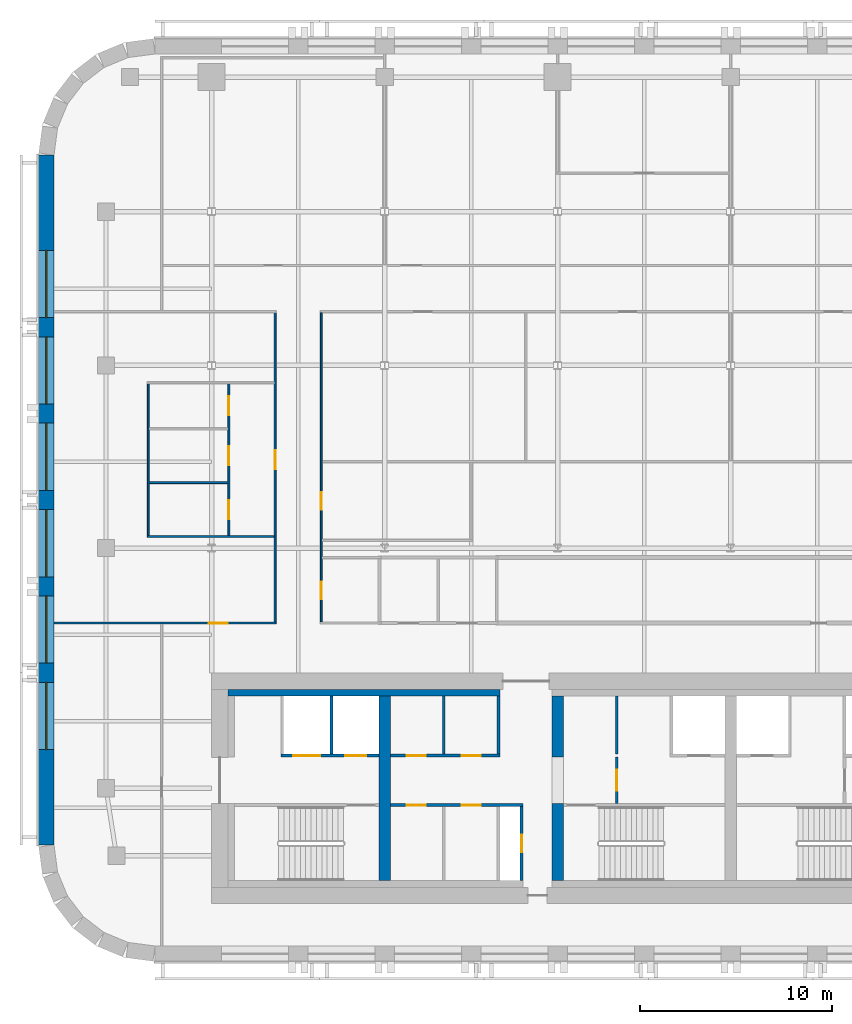
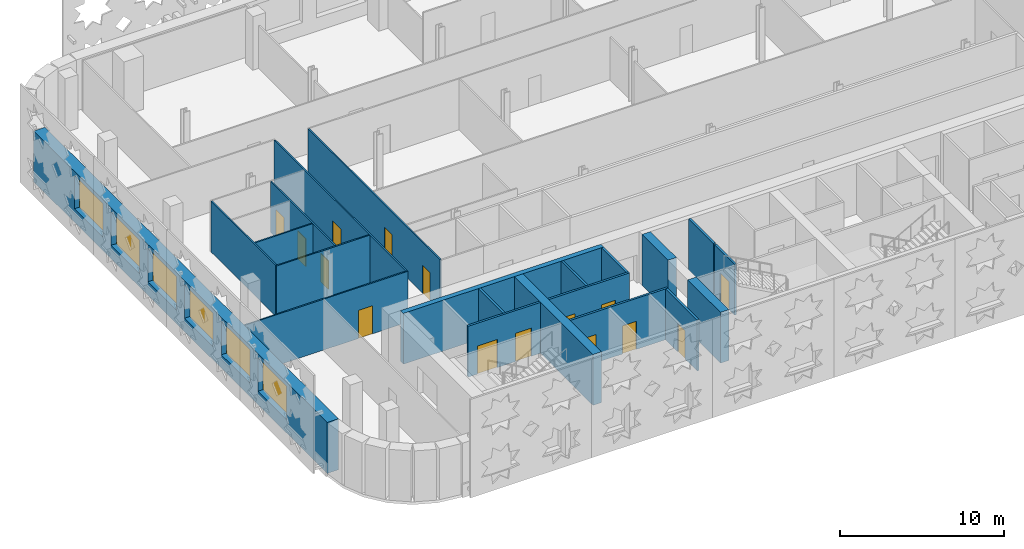
# One storey, part 3 of 12: 21 walls, 15 doors, 6 windows, 21 openings.
"""IFC4 building model written with IfcOpenShell, lengths in metres."""

from ifc_helpers import new_model, si_unit, direction, frame, frame_2d, origin, place, context, subcontext, project, spatial, rectangle, extrude, material, layer, layer_set, type_object, element, fill, save


model = new_model("IFC4")

# Units and contexts
model_context = context("Model", 3, precision=1e-05, world=origin(), true_north=direction((0.0, 1.0)))
body_context = subcontext(model_context, "Body", "Model", "MODEL_VIEW")
ifc_project = project(units=[si_unit("LENGTHUNIT", "METRE"), si_unit("AREAUNIT", "SQUARE_METRE"), si_unit("VOLUMEUNIT", "CUBIC_METRE"), si_unit("PLANEANGLEUNIT", "RADIAN"), si_unit("MASSUNIT", "GRAM", prefix="KILO")], contexts=[model_context])

# Site, building, storey
site_placement = place(None, origin())
site = spatial("IfcSite", under=ifc_project, at=site_placement, CompositionType="ELEMENT")
building_placement = place(site_placement, origin())
building = spatial("IfcBuilding", under=site, at=building_placement, Name="Zellij Exchange Tower", CompositionType="ELEMENT")
storey_placement = place(building_placement, frame((0.0, 0.0, 180.5)))
storey = spatial("IfcBuildingStorey", under=building, at=storey_placement, Name="L41", CompositionType="ELEMENT", Elevation=180.5)

# Walls
ifc_material_1 = material(Name="Concrete C60/75", Category="concrete")
ifc_layer_1 = layer(ifc_material_1, 0.60009765625)
ifc_layer_set_1 = layer_set([ifc_layer_1], Name="Concrete C60/75")
wall_type_1 = type_object("IfcWallType", Name="CORE-CW 600 C60/75", PredefinedType="SHEAR", material=ifc_layer_set_1)
wall_1_placement = place(storey_placement, frame((-18.0, -12.800048828125, 0.0), z_axis=(0.0, 0.0, 1.0), x_axis=(0.0, 1.0, 0.0)))
element("IfcWall", 1, at=wall_1_placement, inside=storey, type_object=wall_type_1, Name="Core cross wall x -18 L41", PredefinedType="SHEAR", context=body_context, shape_type="SweptSolid", body=[
    extrude(rectangle(XDim=9.60009765625, YDim=0.60009765625, at=frame_2d((4.800048828125, 0.0))), origin(), (0.0, 0.0, 1.0), 3.800048828125),
])
wall_2_placement = place(storey_placement, frame((-9.0, -12.800048828125, 0.0), z_axis=(0.0, 0.0, 1.0), x_axis=(0.0, 1.0, 0.0)))
element("IfcWall", 2, at=wall_2_placement, inside=storey, type_object=wall_type_1, Name="Core cross wall pier x -9 a L41", PredefinedType="SHEAR", context=body_context, shape_type="SweptSolid", body=[
    extrude(rectangle(XDim=4.0, YDim=0.60009765625, at=frame_2d((2.0, 0.0))), origin(), (0.0, 0.0, 1.0), 3.800048828125),
])
wall_3_placement = place(storey_placement, frame((-9.0, -6.375, 0.0), z_axis=(0.0, 0.0, 1.0), x_axis=(0.0, 1.0, 0.0)))
element("IfcWall", 3, at=wall_3_placement, inside=storey, type_object=wall_type_1, Name="Core cross wall pier x -9 b L41", PredefinedType="SHEAR", context=body_context, shape_type="SweptSolid", body=[
    extrude(rectangle(XDim=3.175048828125, YDim=0.60009765625, at=frame_2d((1.58740234375, 0.0))), origin(), (0.0, 0.0, 1.0), 3.800048828125),
])
ifc_material_2 = material(Name="Concrete C30/37", Category="concrete")
ifc_layer_2 = layer(ifc_material_2, 0.35009765625)
ifc_layer_set_2 = layer_set([ifc_layer_2], Name="Concrete C30/37")
wall_type_2 = type_object("IfcWallType", Name="CORE-LW 350 C30/37", PredefinedType="SHEAR", material=ifc_layer_set_2)
wall_4_placement = place(storey_placement, frame((-26.14990234375, -3.02490234375, 0.0), z_axis=(0.0, 0.0, 1.0), x_axis=(1.0, 0.0, 0.0)))
element("IfcWall", 4, at=wall_4_placement, inside=storey, type_object=wall_type_2, Name="Core wall lining front.0 L41", PredefinedType="SHEAR", context=body_context, shape_type="SweptSolid", body=[
    extrude(rectangle(XDim=14.14990234375, YDim=0.35009765625, at=frame_2d((7.074951171875, 0.0))), origin(), (0.0, 0.0, 1.0), 3.800048828125),
])

# Wall, opening, door
ifc_material_3 = material(Name="Gypsum shaft wall system")
ifc_layer_3 = layer(ifc_material_3, 0.14990234375)
ifc_layer_set_3 = layer_set([ifc_layer_3], Name="Gypsum shaft wall system")
wall_type_3 = type_object("IfcWallType", Name="CORE-PW 150 Firefighting lobby wall", PredefinedType="PARTITIONING", material=ifc_layer_set_3)
wall_5_placement = place(storey_placement, frame((-5.925048828125, -8.800048828125, 0.0), z_axis=(0.0, 0.0, 1.0), x_axis=(0.0, 1.0, 0.0)))
wall_5 = element("IfcWall", 5, at=wall_5_placement, inside=storey, type_object=wall_type_3, Name="Firefighting lobby wall L41", PredefinedType="PARTITIONING", context=body_context, shape_type="SweptSolid", body=[
    extrude(rectangle(XDim=2.425048828125, YDim=0.14990234375, at=frame_2d((1.21240234375, 0.0))), origin(), (0.0, 0.0, 1.0), 3.800048828125),
])
opening_1_placement = place(wall_5_placement, frame((0.662109375, 0.0, 0.0)))
opening_1 = element("IfcOpeningElement", 6, at=opening_1_placement, cuts=wall_5, Name="Opening CA-22.13", PredefinedType="OPENING", context=body_context, shape_type="SweptSolid", body=[
    extrude(rectangle(XDim=1.10009765625, YDim=2.10009765625, at=frame_2d((0.550048828125, 1.050048828125))), frame((0.0, 0.0869140625, 0.0), z_axis=(0.0, -1.0, 0.0), x_axis=(1.0, 0.0, 0.0)), (0.0, 0.0, 1.0), 0.173828125),
])
ifc_material_4 = material(Name="Hollow metal fire door")
door_type_1 = type_object("IfcDoorType", Name="CORE-D F Firefighting lobby door 1100x2100 1 HR", OperationType="NOTDEFINED", PredefinedType="DOOR", material=ifc_material_4)
door_1_placement = place(opening_1_placement, origin())
door_1 = element("IfcDoor", 7, at=door_1_placement, inside=storey, type_object=door_type_1, Name="Firefighting lobby door CA-22.13", OperationType="SINGLE_SWING_LEFT", OverallHeight=2.10009765625, OverallWidth=1.10009765625, PredefinedType="DOOR", context=body_context, shape_type="SweptSolid", body=[
    extrude(rectangle(XDim=1.10009765625, YDim=2.10009765625, at=frame_2d((0.550048828125, 1.050048828125))), frame((0.0, 0.02490234375, 0.0), z_axis=(0.0, -1.0, 0.0), x_axis=(1.0, 0.0, 0.0)), (0.0, 0.0, 1.0), 0.050048828125),
])
fill(opening_1, door_1)

# Walls
ifc_material_5 = material(Name="Gypsum board partition")
ifc_layer_4 = layer(ifc_material_5, 0.14990234375)
ifc_layer_set_4 = layer_set([ifc_layer_4], Name="Gypsum board partition")
wall_type_4 = type_object("IfcWallType", Name="CORE-PW 150 Lift lobby wall", PredefinedType="PARTITIONING", material=ifc_layer_set_4)
for number, where, z_axis, x_axis, name in (
    (8, (-12.074951171875, -6.22509765625, 0.0), (0.0, 0.0, 1.0), (0.0, 1.0, 0.0), "Lift lobby wall L41"),
    (9, (-14.925048828125, -6.22509765625, 0.0), (0.0, 0.0, 1.0), (0.0, 1.0, 0.0), "Lift lobby wall L41"),
    (10, (-5.925048828125, -6.22509765625, 0.0), (0.0, 0.0, 1.0), (0.0, 1.0, 0.0), "Lift lobby wall L41"),
):
    element("IfcWall", number, at=place(storey_placement, frame(where, z_axis=z_axis, x_axis=x_axis)), inside=storey, type_object=wall_type_4, Name=name, PredefinedType="PARTITIONING", context=body_context, shape_type="SweptSolid", body=[
        extrude(rectangle(XDim=3.025146484375, YDim=0.14990234375, at=frame_2d((1.5126953125, 0.0))), origin(), (0.0, 0.0, 1.0), 3.800048828125),
    ])

# Wall, opening, door
wall_6_placement = place(storey_placement, frame((-10.875, -12.800048828125, 0.0), z_axis=(0.0, 0.0, 1.0), x_axis=(0.0, 1.0, 0.0)))
wall_6 = element("IfcWall", 11, at=wall_6_placement, inside=storey, type_object=wall_type_4, Name="Lift lobby wall L41", PredefinedType="PARTITIONING", context=body_context, shape_type="SweptSolid", body=[
    extrude(rectangle(XDim=3.85009765625, YDim=0.14990234375, at=frame_2d((1.925048828125, 0.0))), origin(), (0.0, 0.0, 1.0), 3.800048828125),
])
opening_2_placement = place(wall_6_placement, frame((1.47509765625, 0.0, 0.0)))
opening_2 = element("IfcOpeningElement", 12, at=opening_2_placement, cuts=wall_6, Name="Opening CA-22.09", PredefinedType="OPENING", context=body_context, shape_type="SweptSolid", body=[
    extrude(rectangle(XDim=0.89990234375, YDim=2.10009765625, at=frame_2d((0.449951171875, 1.050048828125))), frame((0.0, 0.0869140625, 0.0), z_axis=(0.0, -1.0, 0.0), x_axis=(1.0, 0.0, 0.0)), (0.0, 0.0, 1.0), 0.173828125),
])
door_type_2 = type_object("IfcDoorType", Name="CORE-D RD Riser door 900x2100 1.5 HR", OperationType="NOTDEFINED", PredefinedType="DOOR", material=ifc_material_4)
door_2_placement = place(opening_2_placement, origin())
door_2 = element("IfcDoor", 13, at=door_2_placement, inside=storey, type_object=door_type_2, Name="Riser door CA-22.09", OperationType="SINGLE_SWING_RIGHT", OverallHeight=2.10009765625, OverallWidth=0.89990234375, PredefinedType="DOOR", context=body_context, shape_type="SweptSolid", body=[
    extrude(rectangle(XDim=0.89990234375, YDim=2.10009765625, at=frame_2d((0.449951171875, 1.050048828125))), frame((0.0, 0.02490234375, 0.0), z_axis=(0.0, -1.0, 0.0), x_axis=(1.0, 0.0, 0.0)), (0.0, 0.0, 1.0), 0.050048828125),
])
fill(opening_2, door_2)

# Wall, openings, doors
wall_7_placement = place(storey_placement, frame((-17.699951171875, -6.300048828125, 0.0), z_axis=(0.0, 0.0, 1.0), x_axis=(1.0, 0.0, 0.0)))
wall_7 = element("IfcWall", 14, at=wall_7_placement, inside=storey, type_object=wall_type_4, Name="Lift lobby wall L41", PredefinedType="PARTITIONING", context=body_context, shape_type="SweptSolid", body=[
    extrude(rectangle(XDim=5.699951171875, YDim=0.14990234375, at=frame_2d((2.85009765625, 0.0))), origin(), (0.0, 0.0, 1.0), 3.800048828125),
])
opening_3_placement = place(wall_7_placement, frame((0.85009765625, 0.0, 0.0)))
opening_3 = element("IfcOpeningElement", 15, at=opening_3_placement, cuts=wall_7, Name="Opening CA-22.06", PredefinedType="OPENING", context=body_context, shape_type="SweptSolid", body=[
    extrude(rectangle(XDim=1.0, YDim=2.10009765625, at=frame_2d((0.5, 1.050048828125))), frame((0.0, 0.0869140625, 0.0), z_axis=(0.0, -1.0, 0.0), x_axis=(1.0, 0.0, 0.0)), (0.0, 0.0, 1.0), 0.173828125),
])
opening_4_placement = place(wall_7_placement, frame((3.699951171875, 0.0, 0.0)))
opening_4 = element("IfcOpeningElement", 16, at=opening_4_placement, cuts=wall_7, Name="Opening CA-22.08", PredefinedType="OPENING", context=body_context, shape_type="SweptSolid", body=[
    extrude(rectangle(XDim=1.0, YDim=2.10009765625, at=frame_2d((0.5, 1.050048828125))), frame((0.0, 0.0869140625, 0.0), z_axis=(0.0, -1.0, 0.0), x_axis=(1.0, 0.0, 0.0)), (0.0, 0.0, 1.0), 0.173828125),
])
door_type_3 = type_object("IfcDoorType", Name="CORE-D CD Core room door 1000x2100 1 HR", OperationType="NOTDEFINED", PredefinedType="DOOR", material=ifc_material_4)
door_3_placement = place(opening_3_placement, origin())
door_3 = element("IfcDoor", 17, at=door_3_placement, inside=storey, type_object=door_type_3, Name="Core room door CA-22.06", OperationType="SINGLE_SWING_LEFT", OverallHeight=2.10009765625, OverallWidth=1.0, PredefinedType="DOOR", context=body_context, shape_type="SweptSolid", body=[
    extrude(rectangle(XDim=1.0, YDim=2.10009765625, at=frame_2d((0.5, 1.050048828125))), frame((0.0, 0.02490234375, 0.0), z_axis=(0.0, -1.0, 0.0), x_axis=(1.0, 0.0, 0.0)), (0.0, 0.0, 1.0), 0.050048828125),
])
fill(opening_3, door_3)
door_4_placement = place(opening_4_placement, origin())
door_4 = element("IfcDoor", 18, at=door_4_placement, inside=storey, type_object=door_type_3, Name="Core room door CA-22.08", OperationType="SINGLE_SWING_RIGHT", OverallHeight=2.10009765625, OverallWidth=1.0, PredefinedType="DOOR", context=body_context, shape_type="SweptSolid", body=[
    extrude(rectangle(XDim=1.0, YDim=2.10009765625, at=frame_2d((0.5, 1.050048828125))), frame((0.0, 0.02490234375, 0.0), z_axis=(0.0, -1.0, 0.0), x_axis=(1.0, 0.0, 0.0)), (0.0, 0.0, 1.0), 0.050048828125),
])
fill(opening_4, door_4)

wall_8_placement = place(storey_placement, frame((-17.699951171875, -8.875, 0.0), z_axis=(0.0, 0.0, 1.0), x_axis=(1.0, 0.0, 0.0)))
wall_8 = element("IfcWall", 19, at=wall_8_placement, inside=storey, type_object=wall_type_4, Name="Lift lobby wall L41", PredefinedType="PARTITIONING", context=body_context, shape_type="SweptSolid", body=[
    extrude(rectangle(XDim=6.89990234375, YDim=0.14990234375, at=frame_2d((3.449951171875, 0.0))), origin(), (0.0, 0.0, 1.0), 3.800048828125),
])
opening_5_placement = place(wall_8_placement, frame((0.85009765625, 0.0, 0.0)))
opening_5 = element("IfcOpeningElement", 20, at=opening_5_placement, cuts=wall_8, Name="Opening CA-22.05", PredefinedType="OPENING", context=body_context, shape_type="SweptSolid", body=[
    extrude(rectangle(XDim=1.0, YDim=2.10009765625, at=frame_2d((0.5, 1.050048828125))), frame((0.0, 0.0869140625, 0.0), z_axis=(0.0, -1.0, 0.0), x_axis=(1.0, 0.0, 0.0)), (0.0, 0.0, 1.0), 0.173828125),
])
opening_6_placement = place(wall_8_placement, frame((3.699951171875, 0.0, 0.0)))
opening_6 = element("IfcOpeningElement", 21, at=opening_6_placement, cuts=wall_8, Name="Opening CA-22.07", PredefinedType="OPENING", context=body_context, shape_type="SweptSolid", body=[
    extrude(rectangle(XDim=1.0, YDim=2.10009765625, at=frame_2d((0.5, 1.050048828125))), frame((0.0, 0.0869140625, 0.0), z_axis=(0.0, -1.0, 0.0), x_axis=(1.0, 0.0, 0.0)), (0.0, 0.0, 1.0), 0.173828125),
])
door_5_placement = place(opening_5_placement, origin())
door_5 = element("IfcDoor", 22, at=door_5_placement, inside=storey, type_object=door_type_3, Name="Core room door CA-22.05", OperationType="SINGLE_SWING_RIGHT", OverallHeight=2.10009765625, OverallWidth=1.0, PredefinedType="DOOR", context=body_context, shape_type="SweptSolid", body=[
    extrude(rectangle(XDim=1.0, YDim=2.10009765625, at=frame_2d((0.5, 1.050048828125))), frame((0.0, 0.02490234375, 0.0), z_axis=(0.0, -1.0, 0.0), x_axis=(1.0, 0.0, 0.0)), (0.0, 0.0, 1.0), 0.050048828125),
])
fill(opening_5, door_5)
door_6_placement = place(opening_6_placement, origin())
door_6 = element("IfcDoor", 23, at=door_6_placement, inside=storey, type_object=door_type_3, Name="Core room door CA-22.07", OperationType="SINGLE_SWING_LEFT", OverallHeight=2.10009765625, OverallWidth=1.0, PredefinedType="DOOR", context=body_context, shape_type="SweptSolid", body=[
    extrude(rectangle(XDim=1.0, YDim=2.10009765625, at=frame_2d((0.5, 1.050048828125))), frame((0.0, 0.02490234375, 0.0), z_axis=(0.0, -1.0, 0.0), x_axis=(1.0, 0.0, 0.0)), (0.0, 0.0, 1.0), 0.050048828125),
])
fill(opening_6, door_6)

# Wall
ifc_layer_5 = layer(ifc_material_3, 0.14990234375)
ifc_layer_set_5 = layer_set([ifc_layer_5], Name="Gypsum shaft wall system")
wall_type_5 = type_object("IfcWallType", Name="CORE-PW 150 Lift shaft wall", PredefinedType="PARTITIONING", material=ifc_layer_set_5)
wall_9_placement = place(storey_placement, frame((-20.77490234375, -6.22509765625, 0.0), z_axis=(0.0, 0.0, 1.0), x_axis=(0.0, 1.0, 0.0)))
element("IfcWall", 24, at=wall_9_placement, inside=storey, type_object=wall_type_5, Name="Lift shaft wall L41", PredefinedType="PARTITIONING", context=body_context, shape_type="SweptSolid", body=[
    extrude(rectangle(XDim=3.025146484375, YDim=0.14990234375, at=frame_2d((1.5126953125, 0.0))), origin(), (0.0, 0.0, 1.0), 3.800048828125),
])

# Wall, openings, doors
wall_10_placement = place(storey_placement, frame((-23.39990234375, -6.300048828125, 0.0), z_axis=(0.0, 0.0, 1.0), x_axis=(1.0, 0.0, 0.0)))
wall_10 = element("IfcWall", 25, at=wall_10_placement, inside=storey, type_object=wall_type_5, Name="Lift shaft wall L41", PredefinedType="PARTITIONING", context=body_context, shape_type="SweptSolid", body=[
    extrude(rectangle(XDim=5.099853515625, YDim=0.14990234375, at=frame_2d((2.5498046875, 0.0))), origin(), (0.0, 0.0, 1.0), 3.800048828125),
])
opening_7_placement = place(wall_10_placement, frame((0.64990234375, 0.0, 0.0)))
opening_7 = element("IfcOpeningElement", 26, at=opening_7_placement, cuts=wall_10, Name="Opening CA-22.02", PredefinedType="OPENING", context=body_context, shape_type="SweptSolid", body=[
    extrude(rectangle(XDim=1.39990234375, YDim=2.10009765625, at=frame_2d((0.699951171875, 1.050048828125))), frame((0.0, 0.0869140625, 0.0), z_axis=(0.0, -1.0, 0.0), x_axis=(1.0, 0.0, 0.0)), (0.0, 0.0, 1.0), 0.173828125),
])
opening_8_placement = place(wall_10_placement, frame((3.35009765625, 0.0, 0.0)))
opening_8 = element("IfcOpeningElement", 27, at=opening_8_placement, cuts=wall_10, Name="Opening CA-22.03", PredefinedType="OPENING", context=body_context, shape_type="SweptSolid", body=[
    extrude(rectangle(XDim=1.10009765625, YDim=2.10009765625, at=frame_2d((0.550048828125, 1.050048828125))), frame((0.0, 0.0869140625, 0.0), z_axis=(0.0, -1.0, 0.0), x_axis=(1.0, 0.0, 0.0)), (0.0, 0.0, 1.0), 0.173828125),
])
door_type_4 = type_object("IfcDoorType", Name="CORE-D LD Lift landing door 1100x2100 1.5 HR", OperationType="NOTDEFINED", PredefinedType="DOOR", material=ifc_material_4)
door_7_placement = place(opening_8_placement, origin())
door_7 = element("IfcDoor", 28, at=door_7_placement, inside=storey, type_object=door_type_4, Name="Lift landing door CA-22.03", OperationType="SLIDING_TO_LEFT", OverallHeight=2.10009765625, OverallWidth=1.10009765625, PredefinedType="DOOR", context=body_context, shape_type="SweptSolid", body=[
    extrude(rectangle(XDim=1.10009765625, YDim=2.10009765625, at=frame_2d((0.550048828125, 1.050048828125))), frame((0.0, 0.02490234375, 0.0), z_axis=(0.0, -1.0, 0.0), x_axis=(1.0, 0.0, 0.0)), (0.0, 0.0, 1.0), 0.050048828125),
])
fill(opening_8, door_7)
door_type_5 = type_object("IfcDoorType", Name="CORE-D LD2 Service lift landing door 1400x2100 1.5 HR", OperationType="NOTDEFINED", PredefinedType="DOOR", material=ifc_material_4)
door_8_placement = place(opening_7_placement, origin())
door_8 = element("IfcDoor", 29, at=door_8_placement, inside=storey, type_object=door_type_5, Name="Service lift landing door CA-22.02", OperationType="SLIDING_TO_RIGHT", OverallHeight=2.10009765625, OverallWidth=1.39990234375, PredefinedType="DOOR", context=body_context, shape_type="SweptSolid", body=[
    extrude(rectangle(XDim=1.39990234375, YDim=2.10009765625, at=frame_2d((0.699951171875, 1.050048828125))), frame((0.0, 0.02490234375, 0.0), z_axis=(0.0, -1.0, 0.0), x_axis=(1.0, 0.0, 0.0)), (0.0, 0.0, 1.0), 0.050048828125),
])
fill(opening_7, door_8)

# Wall, openings, windows
ifc_material_6 = material(Name="Precast concrete C40/50", Category="concrete")
ifc_layer_6 = layer(ifc_material_6, 0.800048828125)
ifc_layer_set_6 = layer_set([ifc_layer_6], Name="Precast concrete C40/50")
wall_type_6 = type_object("IfcWallType", Name="ENV-EW1 Precast stone-piered wall 800", PredefinedType="SOLIDWALL", material=ifc_layer_set_6)
wall_11_placement = place(storey_placement, frame((-35.60009765625, 24.947509765625, 0.0), z_axis=(0.0, 0.0, 1.0), x_axis=(0.0, -1.0, 0.0)))
wall_11 = element("IfcWall", 30, at=wall_11_placement, inside=storey, type_object=wall_type_6, Name="fac.L41.21", PredefinedType="SOLIDWALL", context=body_context, shape_type="SweptSolid", body=[
    extrude(rectangle(XDim=35.89501953125, YDim=0.800048828125, at=frame_2d((17.947509765625, 0.0))), origin(), (0.0, 0.0, 1.0), 3.800048828125),
])
opening_9_placement = place(wall_11_placement, frame((4.9638671875, 0.0, 1.0)))
opening_9 = element("IfcOpeningElement", 31, at=opening_9_placement, cuts=wall_11, Name="Opening FZ3.31", PredefinedType="OPENING", context=body_context, shape_type="SweptSolid", body=[
    extrude(rectangle(XDim=3.5, YDim=2.5, at=frame_2d((1.75, 1.25))), frame((0.0, 0.412109375, 0.0), z_axis=(0.0, -1.0, 0.0), x_axis=(1.0, 0.0, 0.0)), (0.0, 0.0, 1.0), 0.823974609375),
])
opening_10_placement = place(wall_11_placement, frame((9.45751953125, 0.0, 1.0)))
opening_10 = element("IfcOpeningElement", 32, at=opening_10_placement, cuts=wall_11, Name="Opening FZ3.32", PredefinedType="OPENING", context=body_context, shape_type="SweptSolid", body=[
    extrude(rectangle(XDim=3.5, YDim=2.5, at=frame_2d((1.75, 1.25))), frame((0.0, 0.412109375, 0.0), z_axis=(0.0, -1.0, 0.0), x_axis=(1.0, 0.0, 0.0)), (0.0, 0.0, 1.0), 0.823974609375),
])
opening_11_placement = place(wall_11_placement, frame((13.950927734375, 0.0, 1.0)))
opening_11 = element("IfcOpeningElement", 33, at=opening_11_placement, cuts=wall_11, Name="Opening FZ3.33", PredefinedType="OPENING", context=body_context, shape_type="SweptSolid", body=[
    extrude(rectangle(XDim=3.5, YDim=2.5, at=frame_2d((1.75, 1.25))), frame((0.0, 0.412109375, 0.0), z_axis=(0.0, -1.0, 0.0), x_axis=(1.0, 0.0, 0.0)), (0.0, 0.0, 1.0), 0.823974609375),
])
opening_12_placement = place(wall_11_placement, frame((18.4443359375, 0.0, 1.0)))
opening_12 = element("IfcOpeningElement", 34, at=opening_12_placement, cuts=wall_11, Name="Opening FZ3.34", PredefinedType="OPENING", context=body_context, shape_type="SweptSolid", body=[
    extrude(rectangle(XDim=3.5, YDim=2.5, at=frame_2d((1.75, 1.25))), frame((0.0, 0.412109375, 0.0), z_axis=(0.0, -1.0, 0.0), x_axis=(1.0, 0.0, 0.0)), (0.0, 0.0, 1.0), 0.823974609375),
])
opening_13_placement = place(wall_11_placement, frame((22.937744140625, 0.0, 1.0)))
opening_13 = element("IfcOpeningElement", 35, at=opening_13_placement, cuts=wall_11, Name="Opening FZ3.35", PredefinedType="OPENING", context=body_context, shape_type="SweptSolid", body=[
    extrude(rectangle(XDim=3.5, YDim=2.5, at=frame_2d((1.75, 1.25))), frame((0.0, 0.412109375, 0.0), z_axis=(0.0, -1.0, 0.0), x_axis=(1.0, 0.0, 0.0)), (0.0, 0.0, 1.0), 0.823974609375),
])
opening_14_placement = place(wall_11_placement, frame((27.43115234375, 0.0, 1.0)))
opening_14 = element("IfcOpeningElement", 36, at=opening_14_placement, cuts=wall_11, Name="Opening FZ3.36", PredefinedType="OPENING", context=body_context, shape_type="SweptSolid", body=[
    extrude(rectangle(XDim=3.5, YDim=2.5, at=frame_2d((1.75, 1.25))), frame((0.0, 0.412109375, 0.0), z_axis=(0.0, -1.0, 0.0), x_axis=(1.0, 0.0, 0.0)), (0.0, 0.0, 1.0), 0.823974609375),
])
ifc_material_7 = material(Name="Aluminium frame with insulating glass", Category="aluminium")
window_type = type_object("IfcWindowType", Name="ENV-W1 Window 3500x2500", PartitioningType="SINGLE_PANEL", PredefinedType="WINDOW", material=ifc_material_7)
window_1_placement = place(opening_9_placement, origin())
window_1 = element("IfcWindow", 37, at=window_1_placement, inside=storey, type_object=window_type, Name="Window FZ3.31", OverallHeight=2.5, OverallWidth=3.5, PartitioningType="SINGLE_PANEL", PredefinedType="WINDOW", context=body_context, shape_type="SweptSolid", body=[
    extrude(rectangle(XDim=3.5, YDim=2.5, at=frame_2d((1.75, 1.25))), frame((0.0, 0.030029296875, 0.0), z_axis=(0.0, -1.0, 0.0), x_axis=(1.0, 0.0, 0.0)), (0.0, 0.0, 1.0), 0.06005859375),
])
fill(opening_9, window_1)
window_2_placement = place(opening_10_placement, origin())
window_2 = element("IfcWindow", 38, at=window_2_placement, inside=storey, type_object=window_type, Name="Window FZ3.32", OverallHeight=2.5, OverallWidth=3.5, PartitioningType="SINGLE_PANEL", PredefinedType="WINDOW", context=body_context, shape_type="SweptSolid", body=[
    extrude(rectangle(XDim=3.5, YDim=2.5, at=frame_2d((1.75, 1.25))), frame((0.0, 0.030029296875, 0.0), z_axis=(0.0, -1.0, 0.0), x_axis=(1.0, 0.0, 0.0)), (0.0, 0.0, 1.0), 0.06005859375),
])
fill(opening_10, window_2)
window_3_placement = place(opening_11_placement, origin())
window_3 = element("IfcWindow", 39, at=window_3_placement, inside=storey, type_object=window_type, Name="Window FZ3.33", OverallHeight=2.5, OverallWidth=3.5, PartitioningType="SINGLE_PANEL", PredefinedType="WINDOW", context=body_context, shape_type="SweptSolid", body=[
    extrude(rectangle(XDim=3.5, YDim=2.5, at=frame_2d((1.75, 1.25))), frame((0.0, 0.030029296875, 0.0), z_axis=(0.0, -1.0, 0.0), x_axis=(1.0, 0.0, 0.0)), (0.0, 0.0, 1.0), 0.06005859375),
])
fill(opening_11, window_3)
window_4_placement = place(opening_12_placement, origin())
window_4 = element("IfcWindow", 40, at=window_4_placement, inside=storey, type_object=window_type, Name="Window FZ3.34", OverallHeight=2.5, OverallWidth=3.5, PartitioningType="SINGLE_PANEL", PredefinedType="WINDOW", context=body_context, shape_type="SweptSolid", body=[
    extrude(rectangle(XDim=3.5, YDim=2.5, at=frame_2d((1.75, 1.25))), frame((0.0, 0.030029296875, 0.0), z_axis=(0.0, -1.0, 0.0), x_axis=(1.0, 0.0, 0.0)), (0.0, 0.0, 1.0), 0.06005859375),
])
fill(opening_12, window_4)
window_5_placement = place(opening_13_placement, origin())
window_5 = element("IfcWindow", 41, at=window_5_placement, inside=storey, type_object=window_type, Name="Window FZ3.35", OverallHeight=2.5, OverallWidth=3.5, PartitioningType="SINGLE_PANEL", PredefinedType="WINDOW", context=body_context, shape_type="SweptSolid", body=[
    extrude(rectangle(XDim=3.5, YDim=2.5, at=frame_2d((1.75, 1.25))), frame((0.0, 0.030029296875, 0.0), z_axis=(0.0, -1.0, 0.0), x_axis=(1.0, 0.0, 0.0)), (0.0, 0.0, 1.0), 0.06005859375),
])
fill(opening_13, window_5)
window_6_placement = place(opening_14_placement, origin())
window_6 = element("IfcWindow", 42, at=window_6_placement, inside=storey, type_object=window_type, Name="Window FZ3.36", OverallHeight=2.5, OverallWidth=3.5, PartitioningType="SINGLE_PANEL", PredefinedType="WINDOW", context=body_context, shape_type="SweptSolid", body=[
    extrude(rectangle(XDim=3.5, YDim=2.5, at=frame_2d((1.75, 1.25))), frame((0.0, 0.030029296875, 0.0), z_axis=(0.0, -1.0, 0.0), x_axis=(1.0, 0.0, 0.0)), (0.0, 0.0, 1.0), 0.06005859375),
])
fill(opening_14, window_6)

# Wall, opening, door
ifc_material_8 = material(Name="Gypsum board partition on steel studs", Category="steel")
ifc_layer_7 = layer(ifc_material_8, 0.10009765625)
ifc_layer_set_7 = layer_set([ifc_layer_7], Name="Gypsum board partition on steel studs")
wall_type_7 = type_object("IfcWallType", Name="FIT-PARTITION-100", PredefinedType="PARTITIONING", material=ifc_layer_set_7)
wall_12_placement = place(storey_placement, frame((-35.199951171875, 0.60009765625, 0.0), z_axis=(0.0, 0.0, 1.0), x_axis=(1.0, 0.0, 0.0)))
wall_12 = element("IfcWall", 43, at=wall_12_placement, inside=storey, type_object=wall_type_7, Name="FIT-PARTITION-100 003", PredefinedType="PARTITIONING", context=body_context, shape_type="SweptSolid", body=[
    extrude(rectangle(XDim=11.550048828125, YDim=0.10009765625, at=frame_2d((5.77490234375, 0.0))), origin(), (0.0, 0.0, 1.0), 3.800048828125),
])
opening_15_placement = place(wall_12_placement, frame((8.050048828125, 0.0, 0.0)))
opening_15 = element("IfcOpeningElement", 44, at=opening_15_placement, cuts=wall_12, Name="Opening O3B.03", PredefinedType="OPENING", context=body_context, shape_type="SweptSolid", body=[
    extrude(rectangle(XDim=1.0, YDim=2.10009765625, at=frame_2d((0.5, 1.050048828125))), frame((0.0, 0.06201171875, 0.0), z_axis=(0.0, -1.0, 0.0), x_axis=(1.0, 0.0, 0.0)), (0.0, 0.0, 1.0), 0.1240234375),
])
ifc_material_9 = material(Name="Timber door set", Category="wood")
door_type_6 = type_object("IfcDoorType", Name="FIT-D2-WIDE-1000X2100", OperationType="SINGLE_SWING_LEFT", PredefinedType="DOOR", material=ifc_material_9)
door_9_placement = place(opening_15_placement, origin())
door_9 = element("IfcDoor", 45, at=door_9_placement, inside=storey, type_object=door_type_6, Name="Door O3B.03", OperationType="SINGLE_SWING_LEFT", OverallHeight=2.10009765625, OverallWidth=1.0, PredefinedType="DOOR", context=body_context, shape_type="SweptSolid", body=[
    extrude(rectangle(XDim=1.0, YDim=2.10009765625, at=frame_2d((0.5, 1.050048828125))), frame((0.0, 0.02490234375, 0.0), z_axis=(0.0, -1.0, 0.0), x_axis=(1.0, 0.0, 0.0)), (0.0, 0.0, 1.0), 0.050048828125),
])
fill(opening_15, door_9)

wall_13_placement = place(storey_placement, frame((-23.699951171875, 0.64990234375, 0.0), z_axis=(0.0, 0.0, 1.0), x_axis=(0.0, 1.0, 0.0)))
wall_13 = element("IfcWall", 46, at=wall_13_placement, inside=storey, type_object=wall_type_7, Name="FIT-PARTITION-100 004", PredefinedType="PARTITIONING", context=body_context, shape_type="SweptSolid", body=[
    extrude(rectangle(XDim=16.10009765625, YDim=0.10009765625, at=frame_2d((8.050048828125, 0.0))), origin(), (0.0, 0.0, 1.0), 3.800048828125),
])
opening_16_placement = place(wall_13_placement, frame((7.949951171875, 0.0, 0.0)))
opening_16 = element("IfcOpeningElement", 47, at=opening_16_placement, cuts=wall_13, Name="Opening O3B.12", PredefinedType="OPENING", context=body_context, shape_type="SweptSolid", body=[
    extrude(rectangle(XDim=1.0, YDim=2.10009765625, at=frame_2d((0.5, 1.050048828125))), frame((0.0, 0.06201171875, 0.0), z_axis=(0.0, -1.0, 0.0), x_axis=(1.0, 0.0, 0.0)), (0.0, 0.0, 1.0), 0.1240234375),
])
door_10_placement = place(opening_16_placement, origin())
door_10 = element("IfcDoor", 48, at=door_10_placement, inside=storey, type_object=door_type_6, Name="Door O3B.12", OperationType="SINGLE_SWING_RIGHT", OverallHeight=2.10009765625, OverallWidth=1.0, PredefinedType="DOOR", context=body_context, shape_type="SweptSolid", body=[
    extrude(rectangle(XDim=1.0, YDim=2.10009765625, at=frame_2d((0.5, 1.050048828125))), frame((0.0, 0.02490234375, 0.0), z_axis=(0.0, -1.0, 0.0), x_axis=(1.0, 0.0, 0.0)), (0.0, 0.0, 1.0), 0.050048828125),
])
fill(opening_16, door_10)

# Wall, openings, doors
wall_14_placement = place(storey_placement, frame((-21.300048828125, 0.64990234375, 0.0), z_axis=(0.0, 0.0, 1.0), x_axis=(0.0, 1.0, 0.0)))
wall_14 = element("IfcWall", 49, at=wall_14_placement, inside=storey, type_object=wall_type_7, Name="FIT-PARTITION-100 006", PredefinedType="PARTITIONING", context=body_context, shape_type="SweptSolid", body=[
    extrude(rectangle(XDim=16.10009765625, YDim=0.10009765625, at=frame_2d((8.050048828125, 0.0))), origin(), (0.0, 0.0, 1.0), 3.800048828125),
])
opening_17_placement = place(wall_14_placement, frame((1.199951171875, 0.0, 0.0)))
opening_17 = element("IfcOpeningElement", 50, at=opening_17_placement, cuts=wall_14, Name="Opening O3B.07", PredefinedType="OPENING", context=body_context, shape_type="SweptSolid", body=[
    extrude(rectangle(XDim=0.89990234375, YDim=2.10009765625, at=frame_2d((0.449951171875, 1.050048828125))), frame((0.0, 0.06201171875, 0.0), z_axis=(0.0, -1.0, 0.0), x_axis=(1.0, 0.0, 0.0)), (0.0, 0.0, 1.0), 0.1240234375),
])
opening_18_placement = place(wall_14_placement, frame((5.85009765625, 0.0, 0.0)))
opening_18 = element("IfcOpeningElement", 51, at=opening_18_placement, cuts=wall_14, Name="Opening O3B.11", PredefinedType="OPENING", context=body_context, shape_type="SweptSolid", body=[
    extrude(rectangle(XDim=0.89990234375, YDim=2.10009765625, at=frame_2d((0.449951171875, 1.050048828125))), frame((0.0, 0.06201171875, 0.0), z_axis=(0.0, -1.0, 0.0), x_axis=(1.0, 0.0, 0.0)), (0.0, 0.0, 1.0), 0.1240234375),
])
door_type_7 = type_object("IfcDoorType", Name="FIT-D1-ROOM-900X2100", OperationType="SINGLE_SWING_LEFT", PredefinedType="DOOR", material=ifc_material_9)
door_11_placement = place(opening_17_placement, origin())
door_11 = element("IfcDoor", 52, at=door_11_placement, inside=storey, type_object=door_type_7, Name="Door O3B.07", OperationType="SINGLE_SWING_LEFT", OverallHeight=2.10009765625, OverallWidth=0.89990234375, PredefinedType="DOOR", context=body_context, shape_type="SweptSolid", body=[
    extrude(rectangle(XDim=0.89990234375, YDim=2.10009765625, at=frame_2d((0.449951171875, 1.050048828125))), frame((0.0, 0.02490234375, 0.0), z_axis=(0.0, -1.0, 0.0), x_axis=(1.0, 0.0, 0.0)), (0.0, 0.0, 1.0), 0.050048828125),
])
fill(opening_17, door_11)
door_12_placement = place(opening_18_placement, origin())
door_12 = element("IfcDoor", 53, at=door_12_placement, inside=storey, type_object=door_type_7, Name="Door O3B.11", OperationType="SINGLE_SWING_LEFT", OverallHeight=2.10009765625, OverallWidth=0.89990234375, PredefinedType="DOOR", context=body_context, shape_type="SweptSolid", body=[
    extrude(rectangle(XDim=0.89990234375, YDim=2.10009765625, at=frame_2d((0.449951171875, 1.050048828125))), frame((0.0, 0.02490234375, 0.0), z_axis=(0.0, -1.0, 0.0), x_axis=(1.0, 0.0, 0.0)), (0.0, 0.0, 1.0), 0.050048828125),
])
fill(opening_18, door_12)

# Walls
wall_15_placement = place(storey_placement, frame((-30.35009765625, 5.10009765625, 0.0), z_axis=(0.0, 0.0, 1.0), x_axis=(1.0, 0.0, 0.0)))
element("IfcWall", 54, at=wall_15_placement, inside=storey, type_object=wall_type_7, Name="FIT-PARTITION-100 021", PredefinedType="PARTITIONING", context=body_context, shape_type="SweptSolid", body=[
    extrude(rectangle(XDim=6.60009765625, YDim=0.10009765625, at=frame_2d((3.300048828125, 0.0))), origin(), (0.0, 0.0, 1.0), 3.800048828125),
])
wall_16_placement = place(storey_placement, frame((-30.300048828125, 5.14990234375, 0.0), z_axis=(0.0, 0.0, 1.0), x_axis=(0.0, 1.0, 0.0)))
element("IfcWall", 55, at=wall_16_placement, inside=storey, type_object=wall_type_7, Name="FIT-PARTITION-100 022", PredefinedType="PARTITIONING", context=body_context, shape_type="SweptSolid", body=[
    extrude(rectangle(XDim=7.900146484375, YDim=0.10009765625, at=frame_2d((3.9501953125, 0.0))), origin(), (0.0, 0.0, 1.0), 3.800048828125),
])

# Wall, openings, doors
wall_17_placement = place(storey_placement, frame((-26.10009765625, 5.14990234375, 0.0), z_axis=(0.0, 0.0, 1.0), x_axis=(0.0, 1.0, 0.0)))
wall_17 = element("IfcWall", 56, at=wall_17_placement, inside=storey, type_object=wall_type_7, Name="FIT-PARTITION-100 023", PredefinedType="PARTITIONING", context=body_context, shape_type="SweptSolid", body=[
    extrude(rectangle(XDim=7.900146484375, YDim=0.10009765625, at=frame_2d((3.9501953125, 0.0))), origin(), (0.0, 0.0, 1.0), 3.800048828125),
])
opening_19_placement = place(wall_17_placement, frame((0.85009765625, 0.0, 0.0)))
opening_19 = element("IfcOpeningElement", 57, at=opening_19_placement, cuts=wall_17, Name="Opening O3B.09", PredefinedType="OPENING", context=body_context, shape_type="SweptSolid", body=[
    extrude(rectangle(XDim=1.0, YDim=2.10009765625, at=frame_2d((0.5, 1.050048828125))), frame((0.0, 0.06201171875, 0.0), z_axis=(0.0, -1.0, 0.0), x_axis=(1.0, 0.0, 0.0)), (0.0, 0.0, 1.0), 0.1240234375),
])
opening_20_placement = place(wall_17_placement, frame((3.64990234375, 0.0, 0.0)))
opening_20 = element("IfcOpeningElement", 58, at=opening_20_placement, cuts=wall_17, Name="Opening O3B.13", PredefinedType="OPENING", context=body_context, shape_type="SweptSolid", body=[
    extrude(rectangle(XDim=1.0, YDim=2.10009765625, at=frame_2d((0.5, 1.050048828125))), frame((0.0, 0.06201171875, 0.0), z_axis=(0.0, -1.0, 0.0), x_axis=(1.0, 0.0, 0.0)), (0.0, 0.0, 1.0), 0.1240234375),
])
opening_21_placement = place(wall_17_placement, frame((6.25, 0.0, 0.0)))
opening_21 = element("IfcOpeningElement", 59, at=opening_21_placement, cuts=wall_17, Name="Opening O3B.14", PredefinedType="OPENING", context=body_context, shape_type="SweptSolid", body=[
    extrude(rectangle(XDim=1.0, YDim=2.10009765625, at=frame_2d((0.5, 1.050048828125))), frame((0.0, 0.06201171875, 0.0), z_axis=(0.0, -1.0, 0.0), x_axis=(1.0, 0.0, 0.0)), (0.0, 0.0, 1.0), 0.1240234375),
])
door_13_placement = place(opening_19_placement, origin())
door_13 = element("IfcDoor", 60, at=door_13_placement, inside=storey, type_object=door_type_6, Name="Door O3B.09", OperationType="SINGLE_SWING_RIGHT", OverallHeight=2.10009765625, OverallWidth=1.0, PredefinedType="DOOR", context=body_context, shape_type="SweptSolid", body=[
    extrude(rectangle(XDim=1.0, YDim=2.10009765625, at=frame_2d((0.5, 1.050048828125))), frame((0.0, 0.02490234375, 0.0), z_axis=(0.0, -1.0, 0.0), x_axis=(1.0, 0.0, 0.0)), (0.0, 0.0, 1.0), 0.050048828125),
])
fill(opening_19, door_13)
door_14_placement = place(opening_20_placement, origin())
door_14 = element("IfcDoor", 61, at=door_14_placement, inside=storey, type_object=door_type_6, Name="Door O3B.13", OperationType="SINGLE_SWING_LEFT", OverallHeight=2.10009765625, OverallWidth=1.0, PredefinedType="DOOR", context=body_context, shape_type="SweptSolid", body=[
    extrude(rectangle(XDim=1.0, YDim=2.10009765625, at=frame_2d((0.5, 1.050048828125))), frame((0.0, 0.02490234375, 0.0), z_axis=(0.0, -1.0, 0.0), x_axis=(1.0, 0.0, 0.0)), (0.0, 0.0, 1.0), 0.050048828125),
])
fill(opening_20, door_14)
door_15_placement = place(opening_21_placement, origin())
door_15 = element("IfcDoor", 62, at=door_15_placement, inside=storey, type_object=door_type_6, Name="Door O3B.14", OperationType="SINGLE_SWING_LEFT", OverallHeight=2.10009765625, OverallWidth=1.0, PredefinedType="DOOR", context=body_context, shape_type="SweptSolid", body=[
    extrude(rectangle(XDim=1.0, YDim=2.10009765625, at=frame_2d((0.5, 1.050048828125))), frame((0.0, 0.02490234375, 0.0), z_axis=(0.0, -1.0, 0.0), x_axis=(1.0, 0.0, 0.0)), (0.0, 0.0, 1.0), 0.050048828125),
])
fill(opening_21, door_15)

# Wall
wall_18_placement = place(storey_placement, frame((-30.25, 7.89990234375, 0.0), z_axis=(0.0, 0.0, 1.0), x_axis=(1.0, 0.0, 0.0)))
element("IfcWall", 63, at=wall_18_placement, inside=storey, type_object=wall_type_7, Name="FIT-PARTITION-100 024", PredefinedType="PARTITIONING", context=body_context, shape_type="SweptSolid", body=[
    extrude(rectangle(XDim=4.10009765625, YDim=0.10009765625, at=frame_2d((2.050048828125, 0.0))), origin(), (0.0, 0.0, 1.0), 3.800048828125),
])

save(model, "model.ifc")
